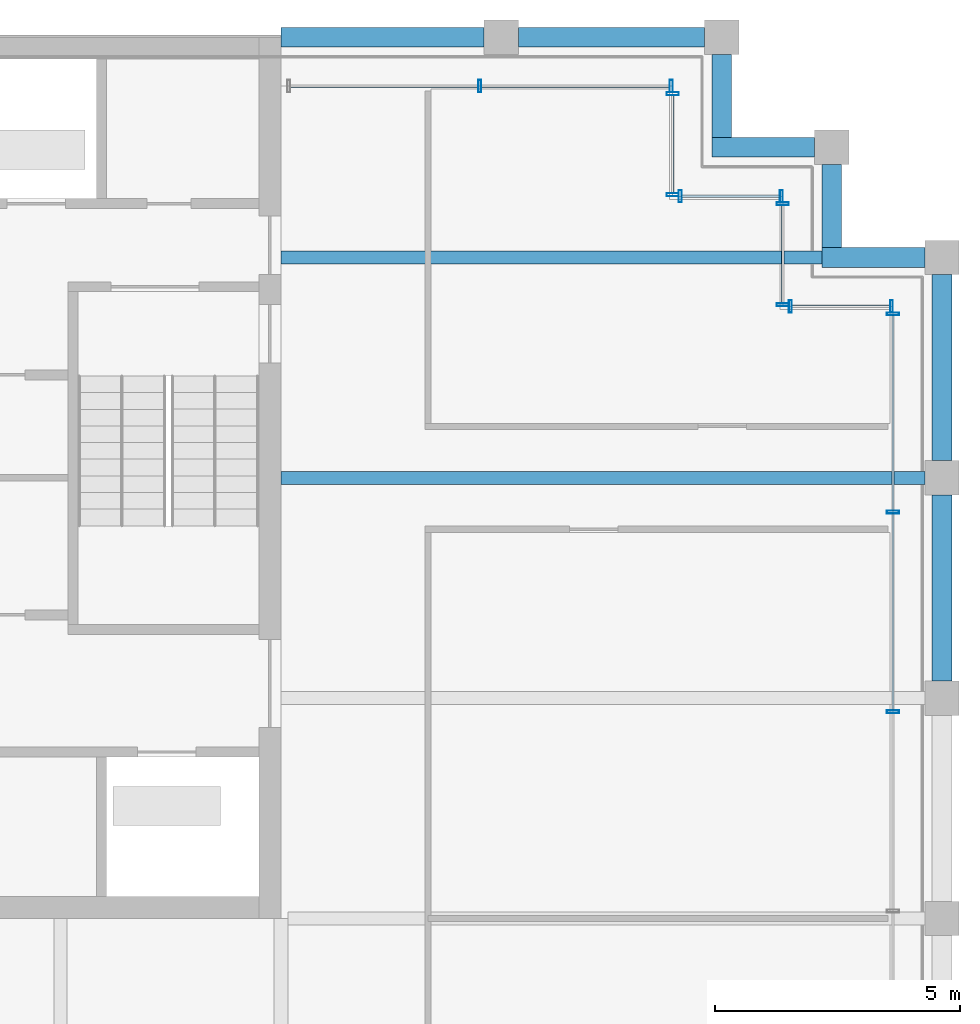
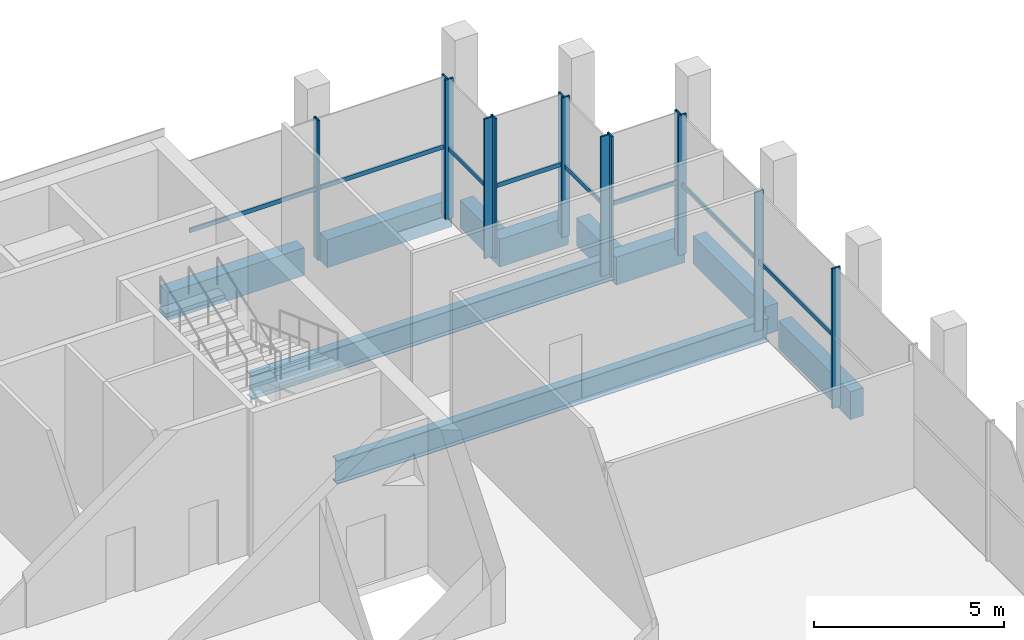
# One storey, part 9 of 14: 21 members, 10 beams, 6 elements without a shape of their own.
"""IFC4 building model written with IfcOpenShell, lengths in metres."""

from ifc_helpers import new_model, si_unit, direction, frame, origin, origin_2d, place, context, subcontext, project, spatial, rectangle, hollow_rectangle, i_section, extrude, material, material_profile, profile_set, type_object, element, aggregate, save


model = new_model("IFC4")

# Units and contexts
model_context = context("Model", 3, precision=1e-05, world=origin(), true_north=direction((0.0, 1.0)))
body_context = subcontext(model_context, "Body", "Model", "MODEL_VIEW")
ifc_project = project(units=[si_unit("LENGTHUNIT", "METRE"), si_unit("AREAUNIT", "SQUARE_METRE"), si_unit("VOLUMEUNIT", "CUBIC_METRE"), si_unit("PLANEANGLEUNIT", "RADIAN"), si_unit("MASSUNIT", "GRAM", prefix="KILO")], contexts=[model_context])

# Site, building, storey
site_placement = place(None, origin())
site = spatial("IfcSite", under=ifc_project, at=site_placement, CompositionType="ELEMENT")
building_placement = place(site_placement, origin())
building = spatial("IfcBuilding", under=site, at=building_placement, Name="Altepetl Exchange Towers", CompositionType="ELEMENT")
storey_placement = place(building_placement, frame((0.0, 0.0, 269.60009765625)))
storey = spatial("IfcBuildingStorey", under=building, at=storey_placement, Name="L68 Observation gallery", CompositionType="ELEMENT", Elevation=269.60009765625)

# Beams
ifc_material_1 = material(Name="Steel S355", Category="steel")
ifc_material_profile_1 = material_profile(ifc_material_1, i_section(OverallWidth=0.26611328125, OverallDepth=0.758056640625, WebThickness=0.013916015625, FlangeThickness=0.019287109375, at=origin_2d()), Name="W30X108")
ifc_profile_set_1 = profile_set([ifc_material_profile_1], Name="Steel S355")
beam_type_1 = type_object("IfcBeamType", Name="Floor beam W30X108", PredefinedType="BEAM", material=ifc_profile_set_1)
beam_1_placement = place(storey_placement, frame((58.5, 49.5, -0.55419921875), z_axis=(1.0, 0.0, 0.0), x_axis=(0.0, 1.0, 0.0)))
element("IfcBeam", 1, at=beam_1_placement, inside=storey, type_object=beam_type_1, Name="bm:A:L68:004", PredefinedType="BEAM", context=body_context, shape_type="SweptSolid", body=[
    extrude(i_section(OverallWidth=0.26611328125, OverallDepth=0.758056640625, WebThickness=0.013916015625, FlangeThickness=0.019287109375, at=origin_2d()), origin(), (0.0, 0.0, 1.0), 13.14990234375),
])
beam_2_placement = place(storey_placement, frame((58.5, 54.0, -0.55419921875), z_axis=(1.0, 0.0, 0.0), x_axis=(0.0, 1.0, 0.0)))
element("IfcBeam", 2, at=beam_2_placement, inside=storey, type_object=beam_type_1, Name="bm:A:L68:005", PredefinedType="BEAM", context=body_context, shape_type="SweptSolid", body=[
    extrude(i_section(OverallWidth=0.26611328125, OverallDepth=0.758056640625, WebThickness=0.013916015625, FlangeThickness=0.019287109375, at=origin_2d()), origin(), (0.0, 0.0, 1.0), 11.050048828125),
])

# Curtain wall, members
ifc_material_2 = material(Name="Aluminium 6063-T6 glazing", Category="aluminium")
curtain_wall_type = type_object("IfcCurtainWallType", Name="Executive flush glazing system", PredefinedType="NOTDEFINED", material=ifc_material_2)
curtain_wall_1_placement = place(storey_placement, origin())
curtain_wall_1 = element("IfcCurtainWall", 3, at=curtain_wall_1_placement, inside=storey, type_object=curtain_wall_type, Name="CW4 run", PredefinedType="NOTDEFINED")
ifc_material_3 = material(Name="Aluminium 6063-T6", Category="aluminium")
ifc_material_profile_2 = material_profile(ifc_material_3, hollow_rectangle(XDim=0.06005859375, YDim=0.25, WallThickness=0.0029296875, at=origin_2d()), Name="Mullion 60x250 hollow aluminium")
ifc_profile_set_2 = profile_set([ifc_material_profile_2], Name="Aluminium 6063-T6")
member_type_1 = type_object("IfcMemberType", Name="Mullion 60x250 hollow aluminium", PredefinedType="MULLION", material=ifc_profile_set_2)
member_1_placement = place(storey_placement, frame((71.0, 44.72509765625, 0.0), z_axis=(0.0, 0.0, 1.0), x_axis=(0.0, 1.0, 0.0)))
member_1 = element("IfcMember", 4, at=member_1_placement, type_object=member_type_1, Name="MU3 mullion", PredefinedType="MULLION", context=body_context, shape_type="SweptSolid", body=[
    extrude(hollow_rectangle(XDim=0.06005859375, YDim=0.25, WallThickness=0.0029296875, at=origin_2d()), origin(), (0.0, 0.0, 1.0), 4.5),
])
member_2_placement = place(storey_placement, frame((71.0, 48.800048828125, 0.0), z_axis=(0.0, 0.0, 1.0), x_axis=(0.0, 1.0, 0.0)))
member_2 = element("IfcMember", 5, at=member_2_placement, type_object=member_type_1, Name="MU3 mullion", PredefinedType="MULLION", context=body_context, shape_type="SweptSolid", body=[
    extrude(hollow_rectangle(XDim=0.06005859375, YDim=0.25, WallThickness=0.0029296875, at=origin_2d()), origin(), (0.0, 0.0, 1.0), 4.5),
])
member_3_placement = place(storey_placement, frame((71.0, 52.844970703125, 0.0), z_axis=(0.0, 0.0, 1.0), x_axis=(0.0, 1.0, 0.0)))
member_3 = element("IfcMember", 6, at=member_3_placement, type_object=member_type_1, Name="MU3 mullion", PredefinedType="MULLION", context=body_context, shape_type="SweptSolid", body=[
    extrude(hollow_rectangle(XDim=0.06005859375, YDim=0.25, WallThickness=0.0029296875, at=origin_2d()), origin(), (0.0, 0.0, 1.0), 4.5),
])

curtain_wall_2_placement = place(storey_placement, origin())
curtain_wall_2 = element("IfcCurtainWall", 7, at=curtain_wall_2_placement, inside=storey, type_object=curtain_wall_type, Name="CW4 run", PredefinedType="NOTDEFINED")
member_4_placement = place(storey_placement, frame((70.969970703125, 53.0, 0.0), z_axis=(0.0, 0.0, 1.0), x_axis=(-1.0, 0.0, 0.0)))
member_4 = element("IfcMember", 8, at=member_4_placement, type_object=member_type_1, Name="MU3 mullion", PredefinedType="MULLION", context=body_context, shape_type="SweptSolid", body=[
    extrude(hollow_rectangle(XDim=0.06005859375, YDim=0.25, WallThickness=0.0029296875, at=origin_2d()), origin(), (0.0, 0.0, 1.0), 4.5),
])
member_5_placement = place(storey_placement, frame((68.905029296875, 53.0, 0.0), z_axis=(0.0, 0.0, 1.0), x_axis=(-1.0, 0.0, 0.0)))
member_5 = element("IfcMember", 9, at=member_5_placement, type_object=member_type_1, Name="MU3 mullion", PredefinedType="MULLION", context=body_context, shape_type="SweptSolid", body=[
    extrude(hollow_rectangle(XDim=0.06005859375, YDim=0.25, WallThickness=0.0029296875, at=origin_2d()), origin(), (0.0, 0.0, 1.0), 4.5),
])

curtain_wall_3_placement = place(storey_placement, origin())
curtain_wall_3 = element("IfcCurtainWall", 10, at=curtain_wall_3_placement, inside=storey, type_object=curtain_wall_type, Name="CW4 run", PredefinedType="NOTDEFINED")
member_6_placement = place(storey_placement, frame((68.75, 53.030029296875, 0.0), z_axis=(0.0, 0.0, 1.0), x_axis=(0.0, 1.0, 0.0)))
member_6 = element("IfcMember", 11, at=member_6_placement, type_object=member_type_1, Name="MU3 mullion", PredefinedType="MULLION", context=body_context, shape_type="SweptSolid", body=[
    extrude(hollow_rectangle(XDim=0.06005859375, YDim=0.25, WallThickness=0.0029296875, at=origin_2d()), origin(), (0.0, 0.0, 1.0), 4.5),
])
member_7_placement = place(storey_placement, frame((68.75, 55.094970703125, 0.0), z_axis=(0.0, 0.0, 1.0), x_axis=(0.0, 1.0, 0.0)))
member_7 = element("IfcMember", 12, at=member_7_placement, type_object=member_type_1, Name="MU3 mullion", PredefinedType="MULLION", context=body_context, shape_type="SweptSolid", body=[
    extrude(hollow_rectangle(XDim=0.06005859375, YDim=0.25, WallThickness=0.0029296875, at=origin_2d()), origin(), (0.0, 0.0, 1.0), 4.5),
])

curtain_wall_4_placement = place(storey_placement, origin())
curtain_wall_4 = element("IfcCurtainWall", 13, at=curtain_wall_4_placement, inside=storey, type_object=curtain_wall_type, Name="CW4 run", PredefinedType="NOTDEFINED")
member_8_placement = place(storey_placement, frame((68.719970703125, 55.25, 0.0), z_axis=(0.0, 0.0, 1.0), x_axis=(-1.0, 0.0, 0.0)))
member_8 = element("IfcMember", 14, at=member_8_placement, type_object=member_type_1, Name="MU3 mullion", PredefinedType="MULLION", context=body_context, shape_type="SweptSolid", body=[
    extrude(hollow_rectangle(XDim=0.06005859375, YDim=0.25, WallThickness=0.0029296875, at=origin_2d()), origin(), (0.0, 0.0, 1.0), 4.5),
])
member_9_placement = place(storey_placement, frame((66.655029296875, 55.25, 0.0), z_axis=(0.0, 0.0, 1.0), x_axis=(-1.0, 0.0, 0.0)))
member_9 = element("IfcMember", 15, at=member_9_placement, type_object=member_type_1, Name="MU3 mullion", PredefinedType="MULLION", context=body_context, shape_type="SweptSolid", body=[
    extrude(hollow_rectangle(XDim=0.06005859375, YDim=0.25, WallThickness=0.0029296875, at=origin_2d()), origin(), (0.0, 0.0, 1.0), 4.5),
])

curtain_wall_5_placement = place(storey_placement, origin())
curtain_wall_5 = element("IfcCurtainWall", 16, at=curtain_wall_5_placement, inside=storey, type_object=curtain_wall_type, Name="CW4 run", PredefinedType="NOTDEFINED")
member_10_placement = place(storey_placement, frame((66.5, 55.280029296875, 0.0), z_axis=(0.0, 0.0, 1.0), x_axis=(0.0, 1.0, 0.0)))
member_10 = element("IfcMember", 17, at=member_10_placement, type_object=member_type_1, Name="MU3 mullion", PredefinedType="MULLION", context=body_context, shape_type="SweptSolid", body=[
    extrude(hollow_rectangle(XDim=0.06005859375, YDim=0.25, WallThickness=0.0029296875, at=origin_2d()), origin(), (0.0, 0.0, 1.0), 4.5),
])
member_11_placement = place(storey_placement, frame((66.5, 57.344970703125, 0.0), z_axis=(0.0, 0.0, 1.0), x_axis=(0.0, 1.0, 0.0)))
member_11 = element("IfcMember", 18, at=member_11_placement, type_object=member_type_1, Name="MU3 mullion", PredefinedType="MULLION", context=body_context, shape_type="SweptSolid", body=[
    extrude(hollow_rectangle(XDim=0.06005859375, YDim=0.25, WallThickness=0.0029296875, at=origin_2d()), origin(), (0.0, 0.0, 1.0), 4.5),
])

curtain_wall_6_placement = place(storey_placement, origin())
curtain_wall_6 = element("IfcCurtainWall", 19, at=curtain_wall_6_placement, inside=storey, type_object=curtain_wall_type, Name="CW4 run", PredefinedType="NOTDEFINED")
member_12_placement = place(storey_placement, frame((66.469970703125, 57.5, 0.0), z_axis=(0.0, 0.0, 1.0), x_axis=(-1.0, 0.0, 0.0)))
member_12 = element("IfcMember", 20, at=member_12_placement, type_object=member_type_1, Name="MU3 mullion", PredefinedType="MULLION", context=body_context, shape_type="SweptSolid", body=[
    extrude(hollow_rectangle(XDim=0.06005859375, YDim=0.25, WallThickness=0.0029296875, at=origin_2d()), origin(), (0.0, 0.0, 1.0), 4.5),
])
member_13_placement = place(storey_placement, frame((62.5625, 57.5, 0.0), z_axis=(0.0, 0.0, 1.0), x_axis=(-1.0, 0.0, 0.0)))
member_13 = element("IfcMember", 21, at=member_13_placement, type_object=member_type_1, Name="MU3 mullion", PredefinedType="MULLION", context=body_context, shape_type="SweptSolid", body=[
    extrude(hollow_rectangle(XDim=0.06005859375, YDim=0.25, WallThickness=0.0029296875, at=origin_2d()), origin(), (0.0, 0.0, 1.0), 4.5),
])

# Beams
ifc_material_4 = material(Name="Concrete C50/60 precast with cantera amarilla facing", Category="concrete")
ifc_material_profile_3 = material_profile(ifc_material_4, rectangle(XDim=0.39990234375, YDim=0.89990234375, at=origin_2d()), Name="400 x 900")
ifc_profile_set_3 = profile_set([ifc_material_profile_3], Name="Concrete C50/60 precast with cantera amarilla facing")
beam_type_2 = type_object("IfcBeamType", Name="Spandrel beam 400x900 cantera amarilla", PredefinedType="SPANDREL", material=ifc_profile_set_3)
for number, where, z_axis, x_axis, name in (
    (22, (72.0, 45.35009765625, -0.625), (0.0, 1.0, 0.0), (-1.0, 0.0, 0.0), "sp:A:L68:015"),
    (23, (72.0, 49.85009765625, -0.625), (0.0, 1.0, 0.0), (-1.0, 0.0, 0.0), "sp:A:L68:016"),
):
    element("IfcBeam", number, at=place(storey_placement, frame(where, z_axis=z_axis, x_axis=x_axis)), inside=storey, type_object=beam_type_2, Name=name, PredefinedType="SPANDREL", context=body_context, shape_type="SweptSolid", body=[
        extrude(rectangle(XDim=0.39990234375, YDim=0.89990234375, at=origin_2d()), origin(), (0.0, 0.0, 1.0), 3.7998046875),
    ])
beam_3_placement = place(storey_placement, frame((71.64990234375, 54.0, -0.625), z_axis=(-1.0, 0.0, 0.0), x_axis=(0.0, -1.0, 0.0)))
element("IfcBeam", 24, at=beam_3_placement, inside=storey, type_object=beam_type_2, Name="sp:A:L68:017", PredefinedType="SPANDREL", context=body_context, shape_type="SweptSolid", body=[
    extrude(rectangle(XDim=0.39990234375, YDim=0.89990234375, at=origin_2d()), origin(), (0.0, 0.0, 1.0), 2.099853515625),
])
beam_4_placement = place(storey_placement, frame((69.75, 54.199951171875, -0.625), z_axis=(0.0, 1.0, 0.0), x_axis=(-1.0, 0.0, 0.0)))
element("IfcBeam", 25, at=beam_4_placement, inside=storey, type_object=beam_type_2, Name="sp:A:L68:018", PredefinedType="SPANDREL", context=body_context, shape_type="SweptSolid", body=[
    extrude(rectangle(XDim=0.39990234375, YDim=0.89990234375, at=origin_2d()), origin(), (0.0, 0.0, 1.0), 1.699951171875),
])
beam_5_placement = place(storey_placement, frame((69.39990234375, 56.25, -0.625), z_axis=(-1.0, 0.0, 0.0), x_axis=(0.0, -1.0, 0.0)))
element("IfcBeam", 26, at=beam_5_placement, inside=storey, type_object=beam_type_2, Name="sp:A:L68:019", PredefinedType="SPANDREL", context=body_context, shape_type="SweptSolid", body=[
    extrude(rectangle(XDim=0.39990234375, YDim=0.89990234375, at=origin_2d()), origin(), (0.0, 0.0, 1.0), 2.099853515625),
])
beam_6_placement = place(storey_placement, frame((67.5, 56.449951171875, -0.625), z_axis=(0.0, 1.0, 0.0), x_axis=(-1.0, 0.0, 0.0)))
element("IfcBeam", 27, at=beam_6_placement, inside=storey, type_object=beam_type_2, Name="sp:A:L68:020", PredefinedType="SPANDREL", context=body_context, shape_type="SweptSolid", body=[
    extrude(rectangle(XDim=0.39990234375, YDim=0.89990234375, at=origin_2d()), origin(), (0.0, 0.0, 1.0), 1.699951171875),
])
ifc_material_5 = material(Name="Concrete C50/60 precast with cantera rosa facing", Category="concrete")
ifc_material_profile_4 = material_profile(ifc_material_5, rectangle(XDim=0.39990234375, YDim=0.89990234375, at=origin_2d()), Name="400 x 900")
ifc_profile_set_4 = profile_set([ifc_material_profile_4], Name="Concrete C50/60 precast with cantera rosa facing")
beam_type_3 = type_object("IfcBeamType", Name="Spandrel beam 400x900 cantera rosa", PredefinedType="SPANDREL", material=ifc_profile_set_4)
beam_7_placement = place(storey_placement, frame((67.14990234375, 58.5, -0.625), z_axis=(-1.0, 0.0, 0.0), x_axis=(0.0, -1.0, 0.0)))
element("IfcBeam", 28, at=beam_7_placement, inside=storey, type_object=beam_type_3, Name="sp:A:L68:021", PredefinedType="SPANDREL", context=body_context, shape_type="SweptSolid", body=[
    extrude(rectangle(XDim=0.39990234375, YDim=0.89990234375, at=origin_2d()), origin(), (0.0, 0.0, 1.0), 3.7998046875),
])
beam_8_placement = place(storey_placement, frame((62.64990234375, 58.5, -0.625), z_axis=(-1.0, 0.0, 0.0), x_axis=(0.0, -1.0, 0.0)))
element("IfcBeam", 29, at=beam_8_placement, inside=storey, type_object=beam_type_3, Name="sp:A:L68:022", PredefinedType="SPANDREL", context=body_context, shape_type="SweptSolid", body=[
    extrude(rectangle(XDim=0.39990234375, YDim=0.89990234375, at=origin_2d()), origin(), (0.0, 0.0, 1.0), 4.14990234375),
])

# Member
ifc_material_profile_5 = material_profile(ifc_material_3, hollow_rectangle(XDim=0.050048828125, YDim=0.139892578125, WallThickness=0.0029296875, at=origin_2d()), Name="Transom 50x140 hollow aluminium")
ifc_profile_set_5 = profile_set([ifc_material_profile_5], Name="Aluminium 6063-T6")
member_type_2 = type_object("IfcMemberType", Name="Transom 50x140 hollow aluminium", PredefinedType="USERDEFINED", material=ifc_profile_set_5)
member_14_placement = place(storey_placement, frame((71.0, 44.7548828125, 2.25), z_axis=(0.0, 1.0, 0.0), x_axis=(-1.0, 0.0, 0.0)))
member_14 = element("IfcMember", 30, at=member_14_placement, type_object=member_type_2, Name="TR2 transom", ObjectType="TRANSOM", PredefinedType="USERDEFINED", context=body_context, shape_type="SweptSolid", body=[
    extrude(hollow_rectangle(XDim=0.050048828125, YDim=0.139892578125, WallThickness=0.0029296875, at=origin_2d()), origin(), (0.0, 0.0, 1.0), 4.01513671875),
])

member_15_placement = place(storey_placement, frame((71.0, 48.830078125, 2.25), z_axis=(0.0, 1.0, 0.0), x_axis=(-1.0, 0.0, 0.0)))
member_15 = element("IfcMember", 31, at=member_15_placement, type_object=member_type_2, Name="TR2 transom", ObjectType="TRANSOM", PredefinedType="USERDEFINED", context=body_context, shape_type="SweptSolid", body=[
    extrude(hollow_rectangle(XDim=0.050048828125, YDim=0.139892578125, WallThickness=0.0029296875, at=origin_2d()), origin(), (0.0, 0.0, 1.0), 3.98486328125),
])

aggregate(curtain_wall_1, [member_1, member_2, member_3, member_14, member_15])

member_16_placement = place(storey_placement, frame((70.93994140625, 53.0, 2.25), z_axis=(-1.0, 0.0, 0.0), x_axis=(0.0, -1.0, 0.0)))
member_16 = element("IfcMember", 32, at=member_16_placement, type_object=member_type_2, Name="TR2 transom", ObjectType="TRANSOM", PredefinedType="USERDEFINED", context=body_context, shape_type="SweptSolid", body=[
    extrude(hollow_rectangle(XDim=0.050048828125, YDim=0.139892578125, WallThickness=0.0029296875, at=origin_2d()), origin(), (0.0, 0.0, 1.0), 2.0048828125),
])

aggregate(curtain_wall_2, [member_4, member_5, member_16])

member_17_placement = place(storey_placement, frame((68.75, 53.06005859375, 2.25), z_axis=(0.0, 1.0, 0.0), x_axis=(-1.0, 0.0, 0.0)))
member_17 = element("IfcMember", 33, at=member_17_placement, type_object=member_type_2, Name="TR2 transom", ObjectType="TRANSOM", PredefinedType="USERDEFINED", context=body_context, shape_type="SweptSolid", body=[
    extrude(hollow_rectangle(XDim=0.050048828125, YDim=0.139892578125, WallThickness=0.0029296875, at=origin_2d()), origin(), (0.0, 0.0, 1.0), 2.0048828125),
])

aggregate(curtain_wall_3, [member_6, member_7, member_17])

member_18_placement = place(storey_placement, frame((68.68994140625, 55.25, 2.25), z_axis=(-1.0, 0.0, 0.0), x_axis=(0.0, -1.0, 0.0)))
member_18 = element("IfcMember", 34, at=member_18_placement, type_object=member_type_2, Name="TR2 transom", ObjectType="TRANSOM", PredefinedType="USERDEFINED", context=body_context, shape_type="SweptSolid", body=[
    extrude(hollow_rectangle(XDim=0.050048828125, YDim=0.139892578125, WallThickness=0.0029296875, at=origin_2d()), origin(), (0.0, 0.0, 1.0), 2.0048828125),
])

aggregate(curtain_wall_4, [member_8, member_9, member_18])

member_19_placement = place(storey_placement, frame((66.5, 55.31005859375, 2.25), z_axis=(0.0, 1.0, 0.0), x_axis=(-1.0, 0.0, 0.0)))
member_19 = element("IfcMember", 35, at=member_19_placement, type_object=member_type_2, Name="TR2 transom", ObjectType="TRANSOM", PredefinedType="USERDEFINED", context=body_context, shape_type="SweptSolid", body=[
    extrude(hollow_rectangle(XDim=0.050048828125, YDim=0.139892578125, WallThickness=0.0029296875, at=origin_2d()), origin(), (0.0, 0.0, 1.0), 2.0048828125),
])

aggregate(curtain_wall_5, [member_10, member_11, member_19])

member_20_placement = place(storey_placement, frame((66.43994140625, 57.5, 2.25), z_axis=(-1.0, 0.0, 0.0), x_axis=(0.0, -1.0, 0.0)))
member_20 = element("IfcMember", 36, at=member_20_placement, type_object=member_type_2, Name="TR2 transom", ObjectType="TRANSOM", PredefinedType="USERDEFINED", context=body_context, shape_type="SweptSolid", body=[
    extrude(hollow_rectangle(XDim=0.050048828125, YDim=0.139892578125, WallThickness=0.0029296875, at=origin_2d()), origin(), (0.0, 0.0, 1.0), 3.847412109375),
])

member_21_placement = place(storey_placement, frame((62.532470703125, 57.5, 2.25), z_axis=(-1.0, 0.0, 0.0), x_axis=(0.0, -1.0, 0.0)))
member_21 = element("IfcMember", 37, at=member_21_placement, type_object=member_type_2, Name="TR2 transom", ObjectType="TRANSOM", PredefinedType="USERDEFINED", context=body_context, shape_type="SweptSolid", body=[
    extrude(hollow_rectangle(XDim=0.050048828125, YDim=0.139892578125, WallThickness=0.0029296875, at=origin_2d()), origin(), (0.0, 0.0, 1.0), 3.847412109375),
])

aggregate(curtain_wall_6, [member_12, member_13, member_20, member_21])

save(model, "model.ifc")
